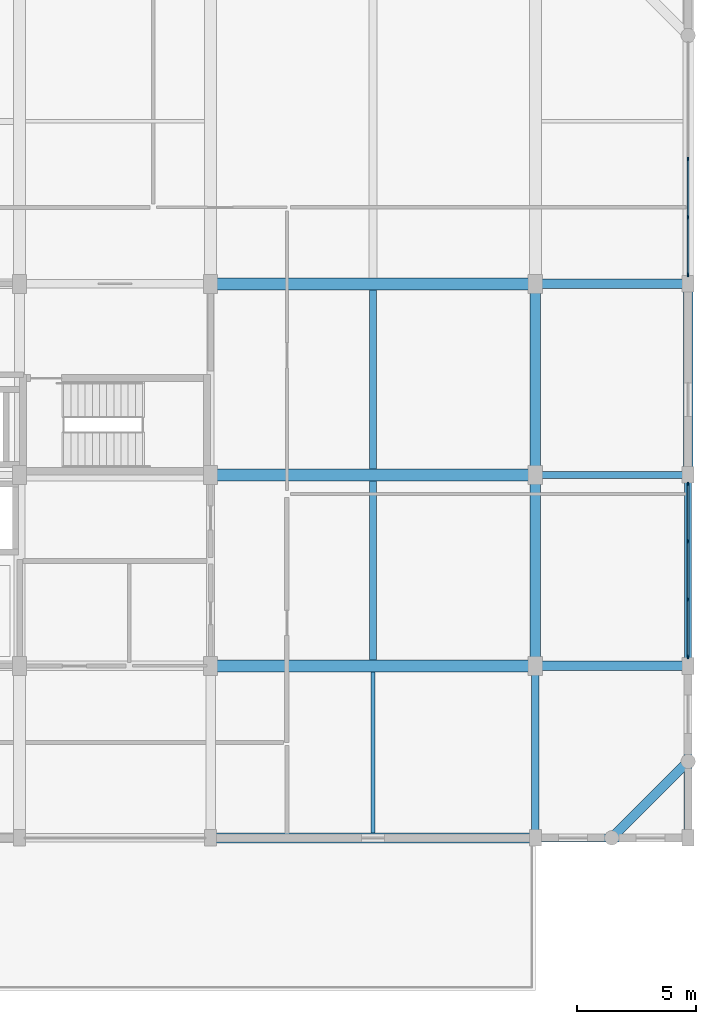
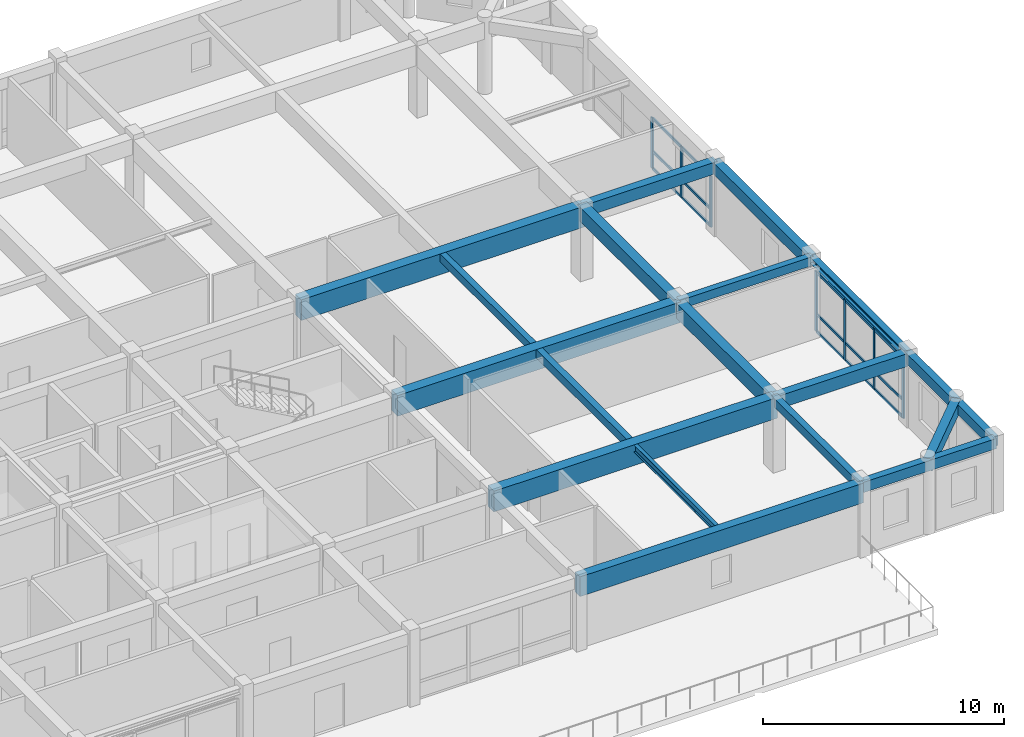
# One storey, part 4 of 13: 22 members, 18 beams, 2 elements without a shape of their own.
"""IFC4 building model written with IfcOpenShell, lengths in metres."""

from ifc_helpers import new_model, si_unit, direction, frame, origin, origin_2d, place, context, subcontext, project, spatial, rectangle, i_section, extrude, material, material_profile, profile_set, type_object, element, aggregate, save


model = new_model("IFC4")

# Units and contexts
model_context = context("Model", 3, precision=1e-05, world=origin(), true_north=direction((0.0, 1.0)))
body_context = subcontext(model_context, "Body", "Model", "MODEL_VIEW")
ifc_project = project(units=[si_unit("LENGTHUNIT", "METRE"), si_unit("AREAUNIT", "SQUARE_METRE"), si_unit("VOLUMEUNIT", "CUBIC_METRE"), si_unit("PLANEANGLEUNIT", "RADIAN"), si_unit("MASSUNIT", "GRAM", prefix="KILO")], contexts=[model_context])

# Site, building, storey
site_placement = place(None, origin())
site = spatial("IfcSite", under=ifc_project, at=site_placement, CompositionType="ELEMENT")
building_placement = place(site_placement, origin())
building = spatial("IfcBuilding", under=site, at=building_placement, Name="Vellmiral Cinema and Media Centre", CompositionType="ELEMENT")
storey_placement = place(building_placement, frame((0.0, 0.0, 50.89990234375)))
storey = spatial("IfcBuildingStorey", under=building, at=storey_placement, Name="L12", CompositionType="ELEMENT", Elevation=50.89990234375)

# Beams
ifc_material_1 = material(Name="Concrete C40/50", Category="concrete")
ifc_material_profile_1 = material_profile(ifc_material_1, rectangle(XDim=0.300048828125, YDim=0.449951171875, at=origin_2d()), Name="RC 300x450")
ifc_profile_set_1 = profile_set([ifc_material_profile_1], Name="Concrete C40/50")
beam_type_1 = type_object("IfcBeamType", Name="BM-RC-300x450", PredefinedType="BEAM", material=ifc_profile_set_1)
beam_1_placement = place(storey_placement, frame((161.60009765625, 87.199951171875, 3.43017578125), z_axis=(1.0, 0.0, 0.0), x_axis=(0.0, 1.0, 0.0)))
element("IfcBeam", 1, at=beam_1_placement, inside=storey, type_object=beam_type_1, Name="Grid Beam L12-X018", PredefinedType="BEAM", context=body_context, shape_type="SweptSolid", body=[
    extrude(rectangle(XDim=0.300048828125, YDim=0.449951171875, at=origin_2d()), origin(), (0.0, 0.0, 1.0), 6.39990234375),
])
beam_2_placement = place(storey_placement, frame((161.60009765625, 72.0, 3.43017578125), z_axis=(0.0, 1.0, 0.0), x_axis=(-1.0, 0.0, 0.0)))
element("IfcBeam", 2, at=beam_2_placement, inside=storey, type_object=beam_type_1, Name="Grid Beam L12-Y061", PredefinedType="BEAM", context=body_context, shape_type="SweptSolid", body=[
    extrude(rectangle(XDim=0.300048828125, YDim=0.449951171875, at=origin_2d()), origin(), (0.0, 0.0, 1.0), 7.199951171875),
])
ifc_material_2 = material(Name="Concrete C40/50", Category="concrete")
ifc_material_profile_2 = material_profile(ifc_material_2, rectangle(XDim=0.39990234375, YDim=0.60009765625, at=origin_2d()), Name="RC 400x600")
ifc_profile_set_2 = profile_set([ifc_material_profile_2], Name="Concrete C40/50")
beam_type_2 = type_object("IfcBeamType", Name="BM-RC-400x600", PredefinedType="BEAM", material=ifc_profile_set_2)
beam_3_placement = place(storey_placement, frame((161.60009765625, 95.199951171875, 3.35498046875), z_axis=(1.0, 0.0, 0.0), x_axis=(0.0, 1.0, 0.0)))
element("IfcBeam", 3, at=beam_3_placement, inside=storey, type_object=beam_type_2, Name="Grid Beam L12-X024", PredefinedType="BEAM", context=body_context, shape_type="SweptSolid", body=[
    extrude(rectangle(XDim=0.39990234375, YDim=0.60009765625, at=origin_2d()), origin(), (0.0, 0.0, 1.0), 6.39990234375),
])
ifc_material_3 = material(Name="Concrete C40/50", Category="concrete")
ifc_material_profile_3 = material_profile(ifc_material_3, rectangle(XDim=0.39990234375, YDim=0.64990234375, at=origin_2d()), Name="RC 400x650")
ifc_profile_set_3 = profile_set([ifc_material_profile_3], Name="Concrete C40/50")
beam_type_3 = type_object("IfcBeamType", Name="BM-RC-400x650", PredefinedType="BEAM", material=ifc_profile_set_3)
beam_4_placement = place(storey_placement, frame((161.60009765625, 79.199951171875, 3.330078125), z_axis=(1.0, 0.0, 0.0), x_axis=(0.0, 1.0, 0.0)))
element("IfcBeam", 4, at=beam_4_placement, inside=storey, type_object=beam_type_3, Name="Grid Beam L12-X012", PredefinedType="BEAM", context=body_context, shape_type="SweptSolid", body=[
    extrude(rectangle(XDim=0.39990234375, YDim=0.64990234375, at=origin_2d()), origin(), (0.0, 0.0, 1.0), 6.39990234375),
])
ifc_material_4 = material(Name="Concrete C40/50", Category="concrete")
ifc_material_profile_4 = material_profile(ifc_material_4, rectangle(XDim=0.449951171875, YDim=0.699951171875, at=origin_2d()), Name="RC 450x700")
ifc_profile_set_4 = profile_set([ifc_material_profile_4], Name="Concrete C40/50")
beam_type_4 = type_object("IfcBeamType", Name="BM-RC-450x700", PredefinedType="BEAM", material=ifc_profile_set_4)
beam_5_placement = place(storey_placement, frame((161.60009765625, 87.199951171875, 3.30517578125), z_axis=(0.0, 1.0, 0.0), x_axis=(-1.0, 0.0, 0.0)))
element("IfcBeam", 5, at=beam_5_placement, inside=storey, type_object=beam_type_4, Name="Grid Beam L12-Y063", PredefinedType="BEAM", context=body_context, shape_type="SweptSolid", body=[
    extrude(rectangle(XDim=0.449951171875, YDim=0.699951171875, at=origin_2d()), origin(), (0.0, 0.0, 1.0), 8.0),
])
ifc_material_5 = material(Name="Concrete C40/50", Category="concrete")
ifc_material_profile_5 = material_profile(ifc_material_5, rectangle(XDim=0.449951171875, YDim=0.75, at=origin_2d()), Name="RC 450x750")
ifc_profile_set_5 = profile_set([ifc_material_profile_5], Name="Concrete C40/50")
beam_type_5 = type_object("IfcBeamType", Name="BM-RC-450x750", PredefinedType="BEAM", material=ifc_profile_set_5)
beam_6_placement = place(storey_placement, frame((161.60009765625, 79.199951171875, 3.280029296875), z_axis=(0.0, 1.0, 0.0), x_axis=(-1.0, 0.0, 0.0)))
element("IfcBeam", 6, at=beam_6_placement, inside=storey, type_object=beam_type_5, Name="Grid Beam L12-Y062", PredefinedType="BEAM", context=body_context, shape_type="SweptSolid", body=[
    extrude(rectangle(XDim=0.449951171875, YDim=0.75, at=origin_2d()), origin(), (0.0, 0.0, 1.0), 8.0),
])
ifc_material_6 = material(Name="Concrete C40/50", Category="concrete")
ifc_material_profile_6 = material_profile(ifc_material_6, rectangle(XDim=0.5, YDim=1.050048828125, at=origin_2d()), Name="RC 500x1050")
ifc_profile_set_6 = profile_set([ifc_material_profile_6], Name="Concrete C40/50")
beam_type_6 = type_object("IfcBeamType", Name="BM-RCG-500x1050", PredefinedType="BEAM", material=ifc_profile_set_6)
for number, where, z_axis, x_axis, name in (
    (7, (148.0, 79.199951171875, 3.130126953125), (1.0, 0.0, 0.0), (0.0, 1.0, 0.0), "Grid Beam L12-X011"),
    (8, (148.0, 87.199951171875, 3.130126953125), (1.0, 0.0, 0.0), (0.0, 1.0, 0.0), "Grid Beam L12-X017"),
    (9, (148.0, 95.199951171875, 3.130126953125), (1.0, 0.0, 0.0), (0.0, 1.0, 0.0), "Grid Beam L12-X023"),
):
    element("IfcBeam", number, at=place(storey_placement, frame(where, z_axis=z_axis, x_axis=x_axis)), inside=storey, type_object=beam_type_6, Name=name, PredefinedType="BEAM", context=body_context, shape_type="SweptSolid", body=[
        extrude(rectangle(XDim=0.5, YDim=1.050048828125, at=origin_2d()), origin(), (0.0, 0.0, 1.0), 13.60009765625),
    ])

# Curtain wall, members
ifc_material_7 = material(Name="Thermally Broken Aluminium and Triple Glazing", Category="aluminium")
curtain_wall_type = type_object("IfcCurtainWallType", Name="CW-TOWER-MID-E", PredefinedType="USERDEFINED", material=ifc_material_7)
curtain_wall_1_placement = place(storey_placement, origin())
curtain_wall_1 = element("IfcCurtainWall", 10, at=curtain_wall_1_placement, inside=storey, type_object=curtain_wall_type, Name="Curtain Wall L12-B011", ObjectType="UNITISED CURTAIN WALL", PredefinedType="USERDEFINED")
ifc_material_8 = material(Name="Thermally Broken Anodised Aluminium", Category="aluminium")
ifc_material_profile_7 = material_profile(ifc_material_8, rectangle(XDim=0.06494140625, YDim=0.159912109375, at=origin_2d()), Name="MULL 65x160")
ifc_profile_set_7 = profile_set([ifc_material_profile_7], Name="Thermally Broken Anodised Aluminium")
member_type_1 = type_object("IfcMemberType", Name="CWM-65x160", PredefinedType="MULLION", material=ifc_profile_set_7)
member_1_placement = place(storey_placement, frame((168.0, 79.58251953125, 0.0), z_axis=(0.0, 0.0, 1.0), x_axis=(-1.0, 0.0, 0.0)))
member_1 = element("IfcMember", 11, at=member_1_placement, type_object=member_type_1, Name="CW-07 mullion 1", PredefinedType="MULLION", context=body_context, shape_type="SweptSolid", body=[
    extrude(rectangle(XDim=0.06494140625, YDim=0.159912109375, at=origin_2d()), origin(), (0.0, 0.0, 1.0), 3.06005859375),
])
member_2_placement = place(storey_placement, frame((168.0, 81.9833984375, 0.0), z_axis=(0.0, 0.0, 1.0), x_axis=(-1.0, 0.0, 0.0)))
member_2 = element("IfcMember", 12, at=member_2_placement, type_object=member_type_1, Name="CW-07 mullion 2", PredefinedType="MULLION", context=body_context, shape_type="SweptSolid", body=[
    extrude(rectangle(XDim=0.06494140625, YDim=0.159912109375, at=origin_2d()), origin(), (0.0, 0.0, 1.0), 3.06005859375),
])
member_3_placement = place(storey_placement, frame((168.0, 84.416748046875, 0.0), z_axis=(0.0, 0.0, 1.0), x_axis=(-1.0, 0.0, 0.0)))
member_3 = element("IfcMember", 13, at=member_3_placement, type_object=member_type_1, Name="CW-07 mullion 3", PredefinedType="MULLION", context=body_context, shape_type="SweptSolid", body=[
    extrude(rectangle(XDim=0.06494140625, YDim=0.159912109375, at=origin_2d()), origin(), (0.0, 0.0, 1.0), 3.06005859375),
])
member_4_placement = place(storey_placement, frame((168.0, 86.8173828125, 0.0), z_axis=(0.0, 0.0, 1.0), x_axis=(-1.0, 0.0, 0.0)))
member_4 = element("IfcMember", 14, at=member_4_placement, type_object=member_type_1, Name="CW-07 mullion 4", PredefinedType="MULLION", context=body_context, shape_type="SweptSolid", body=[
    extrude(rectangle(XDim=0.06494140625, YDim=0.159912109375, at=origin_2d()), origin(), (0.0, 0.0, 1.0), 3.06005859375),
])

curtain_wall_2_placement = place(storey_placement, origin())
curtain_wall_2 = element("IfcCurtainWall", 15, at=curtain_wall_2_placement, inside=storey, type_object=curtain_wall_type, Name="Curtain Wall L12-B013", ObjectType="UNITISED CURTAIN WALL", PredefinedType="USERDEFINED")
member_5_placement = place(storey_placement, frame((168.0, 95.58251953125, 0.0), z_axis=(0.0, 0.0, 1.0), x_axis=(-1.0, 0.0, 0.0)))
member_5 = element("IfcMember", 16, at=member_5_placement, type_object=member_type_1, Name="CW-07 mullion 1", PredefinedType="MULLION", context=body_context, shape_type="SweptSolid", body=[
    extrude(rectangle(XDim=0.06494140625, YDim=0.159912109375, at=origin_2d()), origin(), (0.0, 0.0, 1.0), 2.59521484375),
])
member_6_placement = place(storey_placement, frame((168.0, 97.987548828125, 0.0), z_axis=(0.0, 0.0, 1.0), x_axis=(-1.0, 0.0, 0.0)))
member_6 = element("IfcMember", 17, at=member_6_placement, type_object=member_type_1, Name="CW-07 mullion 2", PredefinedType="MULLION", context=body_context, shape_type="SweptSolid", body=[
    extrude(rectangle(XDim=0.06494140625, YDim=0.159912109375, at=origin_2d()), origin(), (0.0, 0.0, 1.0), 2.59521484375),
])
member_7_placement = place(storey_placement, frame((168.0, 100.425048828125, 0.0), z_axis=(0.0, 0.0, 1.0), x_axis=(-1.0, 0.0, 0.0)))
member_7 = element("IfcMember", 18, at=member_7_placement, type_object=member_type_1, Name="CW-07 mullion 3", PredefinedType="MULLION", context=body_context, shape_type="SweptSolid", body=[
    extrude(rectangle(XDim=0.06494140625, YDim=0.159912109375, at=origin_2d()), origin(), (0.0, 0.0, 1.0), 2.59521484375),
])

# Member
ifc_material_9 = material(Name="Thermally Broken Anodised Aluminium", Category="aluminium")
ifc_material_profile_8 = material_profile(ifc_material_9, rectangle(XDim=0.06494140625, YDim=0.135009765625, at=origin_2d()), Name="MULL 65x135")
ifc_profile_set_8 = profile_set([ifc_material_profile_8], Name="Thermally Broken Anodised Aluminium")
member_type_2 = type_object("IfcMemberType", Name="CWT-65x135", PredefinedType="USERDEFINED", material=ifc_profile_set_8)
member_8_placement = place(storey_placement, frame((168.0, 79.614990234375, 0.03271484375), z_axis=(0.0, 1.0, 0.0), x_axis=(-1.0, 0.0, 0.0)))
member_8 = element("IfcMember", 19, at=member_8_placement, type_object=member_type_2, Name="CW-07 transom 1.1", ObjectType="TRANSOM", PredefinedType="USERDEFINED", context=body_context, shape_type="SweptSolid", body=[
    extrude(rectangle(XDim=0.06494140625, YDim=0.135009765625, at=origin_2d()), origin(), (0.0, 0.0, 1.0), 2.3359375),
])

member_9_placement = place(storey_placement, frame((168.0, 79.614990234375, 0.900146484375), z_axis=(0.0, 1.0, 0.0), x_axis=(-1.0, 0.0, 0.0)))
member_9 = element("IfcMember", 20, at=member_9_placement, type_object=member_type_2, Name="CW-07 transom 1.2", ObjectType="TRANSOM", PredefinedType="USERDEFINED", context=body_context, shape_type="SweptSolid", body=[
    extrude(rectangle(XDim=0.06494140625, YDim=0.135009765625, at=origin_2d()), origin(), (0.0, 0.0, 1.0), 2.3359375),
])

member_10_placement = place(storey_placement, frame((168.0, 79.614990234375, 3.027587890625), z_axis=(0.0, 1.0, 0.0), x_axis=(-1.0, 0.0, 0.0)))
member_10 = element("IfcMember", 21, at=member_10_placement, type_object=member_type_2, Name="CW-07 transom 1.3", ObjectType="TRANSOM", PredefinedType="USERDEFINED", context=body_context, shape_type="SweptSolid", body=[
    extrude(rectangle(XDim=0.06494140625, YDim=0.135009765625, at=origin_2d()), origin(), (0.0, 0.0, 1.0), 2.3359375),
])

member_11_placement = place(storey_placement, frame((168.0, 82.015869140625, 0.03271484375), z_axis=(0.0, 1.0, 0.0), x_axis=(-1.0, 0.0, 0.0)))
member_11 = element("IfcMember", 22, at=member_11_placement, type_object=member_type_2, Name="CW-07 transom 2.1", ObjectType="TRANSOM", PredefinedType="USERDEFINED", context=body_context, shape_type="SweptSolid", body=[
    extrude(rectangle(XDim=0.06494140625, YDim=0.135009765625, at=origin_2d()), origin(), (0.0, 0.0, 1.0), 2.368408203125),
])

member_12_placement = place(storey_placement, frame((168.0, 82.015869140625, 0.900146484375), z_axis=(0.0, 1.0, 0.0), x_axis=(-1.0, 0.0, 0.0)))
member_12 = element("IfcMember", 23, at=member_12_placement, type_object=member_type_2, Name="CW-07 transom 2.2", ObjectType="TRANSOM", PredefinedType="USERDEFINED", context=body_context, shape_type="SweptSolid", body=[
    extrude(rectangle(XDim=0.06494140625, YDim=0.135009765625, at=origin_2d()), origin(), (0.0, 0.0, 1.0), 2.368408203125),
])

member_13_placement = place(storey_placement, frame((168.0, 82.015869140625, 3.027587890625), z_axis=(0.0, 1.0, 0.0), x_axis=(-1.0, 0.0, 0.0)))
member_13 = element("IfcMember", 24, at=member_13_placement, type_object=member_type_2, Name="CW-07 transom 2.3", ObjectType="TRANSOM", PredefinedType="USERDEFINED", context=body_context, shape_type="SweptSolid", body=[
    extrude(rectangle(XDim=0.06494140625, YDim=0.135009765625, at=origin_2d()), origin(), (0.0, 0.0, 1.0), 2.368408203125),
])

member_14_placement = place(storey_placement, frame((168.0, 84.44921875, 0.03271484375), z_axis=(0.0, 1.0, 0.0), x_axis=(-1.0, 0.0, 0.0)))
member_14 = element("IfcMember", 25, at=member_14_placement, type_object=member_type_2, Name="CW-07 transom 3.1", ObjectType="TRANSOM", PredefinedType="USERDEFINED", context=body_context, shape_type="SweptSolid", body=[
    extrude(rectangle(XDim=0.06494140625, YDim=0.135009765625, at=origin_2d()), origin(), (0.0, 0.0, 1.0), 2.335693359375),
])

member_15_placement = place(storey_placement, frame((168.0, 84.44921875, 0.900146484375), z_axis=(0.0, 1.0, 0.0), x_axis=(-1.0, 0.0, 0.0)))
member_15 = element("IfcMember", 26, at=member_15_placement, type_object=member_type_2, Name="CW-07 transom 3.2", ObjectType="TRANSOM", PredefinedType="USERDEFINED", context=body_context, shape_type="SweptSolid", body=[
    extrude(rectangle(XDim=0.06494140625, YDim=0.135009765625, at=origin_2d()), origin(), (0.0, 0.0, 1.0), 2.335693359375),
])

member_16_placement = place(storey_placement, frame((168.0, 84.44921875, 3.027587890625), z_axis=(0.0, 1.0, 0.0), x_axis=(-1.0, 0.0, 0.0)))
member_16 = element("IfcMember", 27, at=member_16_placement, type_object=member_type_2, Name="CW-07 transom 3.3", ObjectType="TRANSOM", PredefinedType="USERDEFINED", context=body_context, shape_type="SweptSolid", body=[
    extrude(rectangle(XDim=0.06494140625, YDim=0.135009765625, at=origin_2d()), origin(), (0.0, 0.0, 1.0), 2.335693359375),
])

aggregate(curtain_wall_1, [member_1, member_2, member_3, member_4, member_8, member_9, member_10, member_11, member_12, member_13, member_14, member_15, member_16])

member_17_placement = place(storey_placement, frame((168.0, 95.614990234375, 0.03271484375), z_axis=(0.0, 1.0, 0.0), x_axis=(-1.0, 0.0, 0.0)))
member_17 = element("IfcMember", 28, at=member_17_placement, type_object=member_type_2, Name="CW-07 transom 1.1", ObjectType="TRANSOM", PredefinedType="USERDEFINED", context=body_context, shape_type="SweptSolid", body=[
    extrude(rectangle(XDim=0.06494140625, YDim=0.135009765625, at=origin_2d()), origin(), (0.0, 0.0, 1.0), 2.340087890625),
])

member_18_placement = place(storey_placement, frame((168.0, 95.614990234375, 0.900146484375), z_axis=(0.0, 1.0, 0.0), x_axis=(-1.0, 0.0, 0.0)))
member_18 = element("IfcMember", 29, at=member_18_placement, type_object=member_type_2, Name="CW-07 transom 1.2", ObjectType="TRANSOM", PredefinedType="USERDEFINED", context=body_context, shape_type="SweptSolid", body=[
    extrude(rectangle(XDim=0.06494140625, YDim=0.135009765625, at=origin_2d()), origin(), (0.0, 0.0, 1.0), 2.340087890625),
])

member_19_placement = place(storey_placement, frame((168.0, 95.614990234375, 2.5625), z_axis=(0.0, 1.0, 0.0), x_axis=(-1.0, 0.0, 0.0)))
member_19 = element("IfcMember", 30, at=member_19_placement, type_object=member_type_2, Name="CW-07 transom 1.3", ObjectType="TRANSOM", PredefinedType="USERDEFINED", context=body_context, shape_type="SweptSolid", body=[
    extrude(rectangle(XDim=0.06494140625, YDim=0.135009765625, at=origin_2d()), origin(), (0.0, 0.0, 1.0), 2.340087890625),
])

member_20_placement = place(storey_placement, frame((168.0, 98.02001953125, 0.03271484375), z_axis=(0.0, 1.0, 0.0), x_axis=(-1.0, 0.0, 0.0)))
member_20 = element("IfcMember", 31, at=member_20_placement, type_object=member_type_2, Name="CW-07 transom 2.1", ObjectType="TRANSOM", PredefinedType="USERDEFINED", context=body_context, shape_type="SweptSolid", body=[
    extrude(rectangle(XDim=0.06494140625, YDim=0.135009765625, at=origin_2d()), origin(), (0.0, 0.0, 1.0), 2.37255859375),
])

member_21_placement = place(storey_placement, frame((168.0, 98.02001953125, 0.900146484375), z_axis=(0.0, 1.0, 0.0), x_axis=(-1.0, 0.0, 0.0)))
member_21 = element("IfcMember", 32, at=member_21_placement, type_object=member_type_2, Name="CW-07 transom 2.2", ObjectType="TRANSOM", PredefinedType="USERDEFINED", context=body_context, shape_type="SweptSolid", body=[
    extrude(rectangle(XDim=0.06494140625, YDim=0.135009765625, at=origin_2d()), origin(), (0.0, 0.0, 1.0), 2.37255859375),
])

member_22_placement = place(storey_placement, frame((168.0, 98.02001953125, 2.5625), z_axis=(0.0, 1.0, 0.0), x_axis=(-1.0, 0.0, 0.0)))
member_22 = element("IfcMember", 33, at=member_22_placement, type_object=member_type_2, Name="CW-07 transom 2.3", ObjectType="TRANSOM", PredefinedType="USERDEFINED", context=body_context, shape_type="SweptSolid", body=[
    extrude(rectangle(XDim=0.06494140625, YDim=0.135009765625, at=origin_2d()), origin(), (0.0, 0.0, 1.0), 2.37255859375),
])

aggregate(curtain_wall_2, [member_5, member_6, member_7, member_17, member_18, member_19, member_20, member_21, member_22])

# Beams
ifc_material_10 = material(Name="Concrete C40/50", Category="concrete")
ifc_material_profile_9 = material_profile(ifc_material_10, rectangle(XDim=0.280029296875, YDim=0.39990234375, at=origin_2d()), Name="RC 280x400")
ifc_profile_set_9 = profile_set([ifc_material_profile_9], Name="Concrete C40/50")
beam_type_7 = type_object("IfcBeamType", Name="JST-RC-280x400", PredefinedType="JOIST", material=ifc_profile_set_9)
beam_7_placement = place(storey_placement, frame((154.800048828125, 87.449951171875, 3.455078125), z_axis=(0.0, 1.0, 0.0), x_axis=(-1.0, 0.0, 0.0)))
element("IfcBeam", 34, at=beam_7_placement, inside=storey, type_object=beam_type_7, Name="Secondary Floor Joist L12-007", PredefinedType="JOIST", context=body_context, shape_type="SweptSolid", body=[
    extrude(rectangle(XDim=0.280029296875, YDim=0.39990234375, at=origin_2d()), origin(), (0.0, 0.0, 1.0), 7.5),
])
ifc_material_11 = material(Name="Concrete C40/50", Category="concrete")
ifc_material_profile_10 = material_profile(ifc_material_11, rectangle(XDim=0.300048828125, YDim=0.419921875, at=origin_2d()), Name="RC 300x420")
ifc_profile_set_10 = profile_set([ifc_material_profile_10], Name="Concrete C40/50")
beam_type_8 = type_object("IfcBeamType", Name="JST-RC-300x420", PredefinedType="JOIST", material=ifc_profile_set_10)
beam_8_placement = place(storey_placement, frame((154.800048828125, 79.449951171875, 3.445068359375), z_axis=(0.0, 1.0, 0.0), x_axis=(-1.0, 0.0, 0.0)))
element("IfcBeam", 35, at=beam_8_placement, inside=storey, type_object=beam_type_8, Name="Secondary Floor Joist L12-006", PredefinedType="JOIST", context=body_context, shape_type="SweptSolid", body=[
    extrude(rectangle(XDim=0.300048828125, YDim=0.419921875, at=origin_2d()), origin(), (0.0, 0.0, 1.0), 7.5),
])
ifc_material_12 = material(Name="Steel S355", Category="steel")
ifc_material_profile_11 = material_profile(ifc_material_12, i_section(OverallWidth=0.300048828125, OverallDepth=0.300048828125, WebThickness=0.010986328125, FlangeThickness=0.01904296875, FilletRadius=0.027099609375, at=origin_2d()), Name="HEB 300")
ifc_profile_set_11 = profile_set([ifc_material_profile_11], Name="Steel S355")
beam_type_9 = type_object("IfcBeamType", Name="SBM-HEB300", PredefinedType="SPANDREL", material=ifc_profile_set_11)
beam_9_placement = place(storey_placement, frame((168.0, 79.199951171875, 3.505126953125), z_axis=(0.0, 1.0, 0.0), x_axis=(-1.0, 0.0, 0.0)))
element("IfcBeam", 36, at=beam_9_placement, inside=storey, type_object=beam_type_9, Name="Grid Beam L12-Y067", PredefinedType="SPANDREL", context=body_context, shape_type="SweptSolid", body=[
    extrude(i_section(OverallWidth=0.300048828125, OverallDepth=0.300048828125, WebThickness=0.010986328125, FlangeThickness=0.01904296875, FilletRadius=0.027099609375, at=origin_2d()), origin(), (0.0, 0.0, 1.0), 8.0),
])
ifc_material_13 = material(Name="Steel S355", Category="steel")
ifc_material_profile_12 = material_profile(ifc_material_13, i_section(OverallWidth=0.169921875, OverallDepth=0.360107421875, WebThickness=0.008056640625, FlangeThickness=0.0126953125, FilletRadius=0.01806640625, at=origin_2d()), Name="IPE 360")
ifc_profile_set_12 = profile_set([ifc_material_profile_12], Name="Steel S355")
beam_type_10 = type_object("IfcBeamType", Name="SBM-IPE360", PredefinedType="JOIST", material=ifc_profile_set_12)
beam_10_placement = place(storey_placement, frame((154.800048828125, 72.2099609375, 3.47509765625), z_axis=(0.0, 1.0, 0.0), x_axis=(-1.0, 0.0, 0.0)))
element("IfcBeam", 37, at=beam_10_placement, inside=storey, type_object=beam_type_10, Name="Secondary Floor Joist L12-005", PredefinedType="JOIST", context=body_context, shape_type="SweptSolid", body=[
    extrude(i_section(OverallWidth=0.169921875, OverallDepth=0.360107421875, WebThickness=0.008056640625, FlangeThickness=0.0126953125, FilletRadius=0.01806640625, at=origin_2d()), origin(), (0.0, 0.0, 1.0), 6.739990234375),
])
ifc_material_14 = material(Name="Concrete C40/50", Category="concrete")
ifc_material_profile_13 = material_profile(ifc_material_14, rectangle(XDim=0.39990234375, YDim=0.60009765625, at=origin_2d()), Name="RC 400x600")
ifc_profile_set_13 = profile_set([ifc_material_profile_13], Name="Concrete C40/50")
beam_type_11 = type_object("IfcBeamType", Name="SPD-RC-400x600", PredefinedType="SPANDREL", material=ifc_profile_set_13)
beam_11_placement = place(storey_placement, frame((168.0, 87.199951171875, 3.35498046875), z_axis=(0.0, 1.0, 0.0), x_axis=(-1.0, 0.0, 0.0)))
element("IfcBeam", 38, at=beam_11_placement, inside=storey, type_object=beam_type_11, Name="Grid Beam L12-Y068", PredefinedType="SPANDREL", context=body_context, shape_type="SweptSolid", body=[
    extrude(rectangle(XDim=0.39990234375, YDim=0.60009765625, at=origin_2d()), origin(), (0.0, 0.0, 1.0), 8.0),
])
beam_12_placement = place(storey_placement, frame((164.800048828125, 72.0, 3.35498046875), z_axis=(0.707106781187, 0.707106781187, 0.0), x_axis=(-0.707106781187, 0.707106781187, 0.0)))
element("IfcBeam", 39, at=beam_12_placement, inside=storey, type_object=beam_type_11, Name="Xamfra Chamfer Spandrel Beam L12-072", PredefinedType="SPANDREL", context=body_context, shape_type="SweptSolid", body=[
    extrude(rectangle(XDim=0.39990234375, YDim=0.60009765625, at=origin_2d()), origin(), (0.0, 0.0, 1.0), 4.525390625),
])
ifc_material_15 = material(Name="Vosges Red Sandstone Masonry", Category="masonry")
ifc_material_profile_14 = material_profile(ifc_material_15, rectangle(XDim=0.340087890625, YDim=0.52001953125, at=origin_2d()), Name="SAND 340x520")
ifc_profile_set_14 = profile_set([ifc_material_profile_14], Name="Vosges Red Sandstone Masonry")
beam_type_12 = type_object("IfcBeamType", Name="SPD-SAND-340x520", PredefinedType="SPANDREL", material=ifc_profile_set_14)
beam_13_placement = place(storey_placement, frame((161.60009765625, 72.0, 3.39501953125), z_axis=(1.0, 0.0, 0.0), x_axis=(0.0, 1.0, 0.0)))
element("IfcBeam", 40, at=beam_13_placement, inside=storey, type_object=beam_type_12, Name="Grid Beam L12-X006", PredefinedType="SPANDREL", context=body_context, shape_type="SweptSolid", body=[
    extrude(rectangle(XDim=0.340087890625, YDim=0.52001953125, at=origin_2d()), origin(), (0.0, 0.0, 1.0), 6.39990234375),
])
beam_14_placement = place(storey_placement, frame((168.0, 72.0, 3.39501953125), z_axis=(0.0, 1.0, 0.0), x_axis=(-1.0, 0.0, 0.0)))
element("IfcBeam", 41, at=beam_14_placement, inside=storey, type_object=beam_type_12, Name="Grid Beam L12-Y066", PredefinedType="SPANDREL", context=body_context, shape_type="SweptSolid", body=[
    extrude(rectangle(XDim=0.340087890625, YDim=0.52001953125, at=origin_2d()), origin(), (0.0, 0.0, 1.0), 7.199951171875),
])
ifc_material_16 = material(Name="Vosges Red Sandstone Masonry", Category="masonry")
ifc_material_profile_15 = material_profile(ifc_material_16, rectangle(XDim=0.419921875, YDim=1.0, at=origin_2d()), Name="SAND 420x1000")
ifc_profile_set_15 = profile_set([ifc_material_profile_15], Name="Vosges Red Sandstone Masonry")
beam_type_13 = type_object("IfcBeamType", Name="SPD-SANDG-420x1000", PredefinedType="SPANDREL", material=ifc_profile_set_15)
beam_15_placement = place(storey_placement, frame((148.0, 72.0, 3.155029296875), z_axis=(1.0, 0.0, 0.0), x_axis=(0.0, 1.0, 0.0)))
element("IfcBeam", 42, at=beam_15_placement, inside=storey, type_object=beam_type_13, Name="Grid Beam L12-X005", PredefinedType="SPANDREL", context=body_context, shape_type="SweptSolid", body=[
    extrude(rectangle(XDim=0.419921875, YDim=1.0, at=origin_2d()), origin(), (0.0, 0.0, 1.0), 13.60009765625),
])

save(model, "model.ifc")
